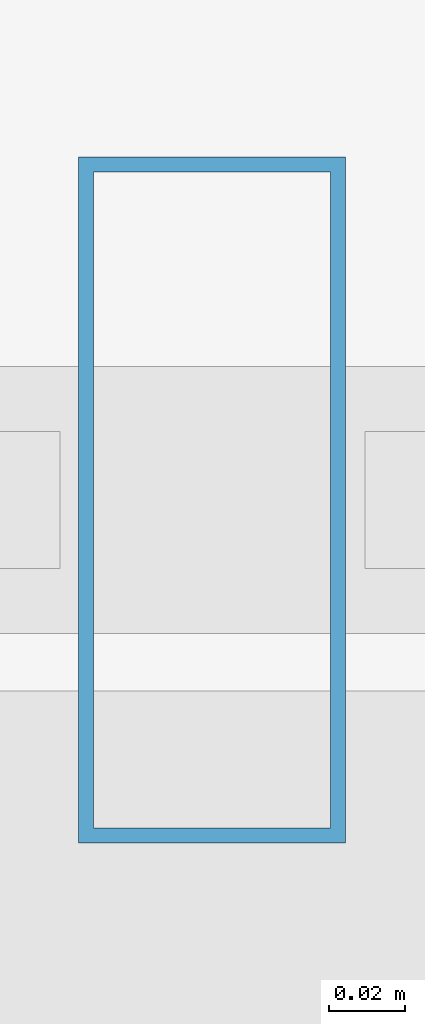
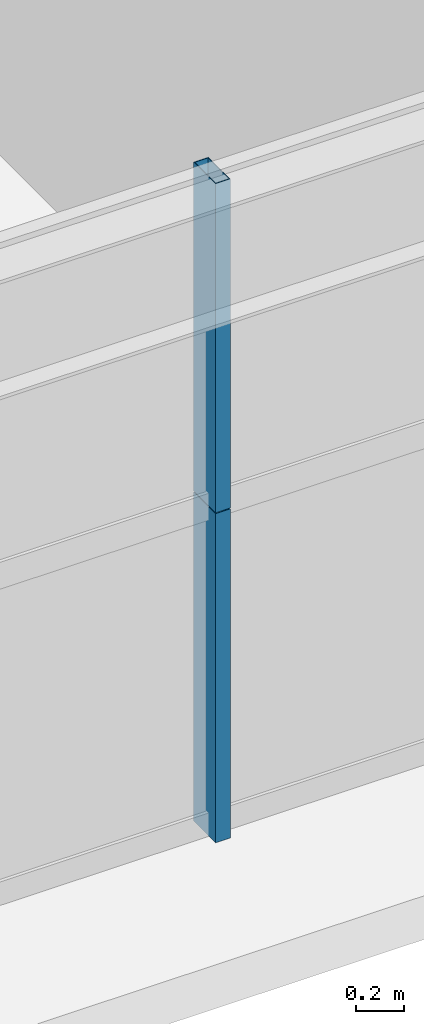
# One storey, part 5 of 43: 2 members, 1 element without a shape of its own.
"""IFC4 building model written with IfcOpenShell, lengths in metres."""

import ifcopenshell
import ifcopenshell.guid

model = None  # the IFC model being written
_history = None  # IfcOwnerHistory: only IFC2X3 demands one
_inside = {}  # id of a spatial element -> (the spatial element, [elements in it])
_under = {}  # id of a project, library or spatial element -> (it, [spatial elements below it])
_declared = {}  # id of a project -> (the project, [libraries it declares])
_typed = {}  # id of a type object -> (the type object, [elements of that type])
_made_of = {}  # id of a material, layer set ... -> (it, [elements and type objects made of it])


def new_model(schema):
    """Start an empty IFC model of exactly this schema.

    Asked for "IFC4X3", IfcOpenShell would pick the latest addendum, in which some entities
    have other attributes; the version numbers below select the first issue.
    IFC2X3 requires an IfcOwnerHistory on every rooted entity: one is made here for all.
    """
    global model, _history
    if schema == "IFC4X3":
        model = ifcopenshell.file(schema_version=(4, 3, 0, 0))
    else:
        model = ifcopenshell.file(schema=schema)
    _inside.clear()
    _under.clear()
    _declared.clear()
    _typed.clear()
    _made_of.clear()
    _history = None
    if model.schema == "IFC2X3":
        org = make("IfcOrganization", Name="unknown")
        user = make(
            "IfcPersonAndOrganization",
            ThePerson=make("IfcPerson", FamilyName="unknown"),
            TheOrganization=org,
        )
        app = make(
            "IfcApplication",
            ApplicationDeveloper=org,
            Version="unknown",
            ApplicationFullName="unknown",
            ApplicationIdentifier="unknown",
        )
        _history = make(
            "IfcOwnerHistory",
            OwningUser=user,
            OwningApplication=app,
            ChangeAction="ADDED",
            CreationDate=0,
        )
    return model


def make(cls, **values):
    """One entity of the class cls with the attributes given. An attribute that is None is left unset."""
    return model.create_entity(
        cls, **{name: value for name, value in values.items() if value is not None}
    )


def rooted(cls, **values):
    """An entity with a GlobalId (a new one), such as an element, a storey or a relation."""
    return make(cls, GlobalId=ifcopenshell.guid.new(), OwnerHistory=_history, **values)


def si_unit(unit_type, name, prefix=None):
    """IfcSIUnit, for example si_unit("LENGTHUNIT", "METRE", prefix="MILLI")."""
    return make("IfcSIUnit", UnitType=unit_type, Prefix=prefix, Name=name)


def assignment(units):
    """IfcUnitAssignment: the units of a project."""
    return None if units is None else make("IfcUnitAssignment", Units=units)


def point(xyz):
    """IfcCartesianPoint."""
    return None if xyz is None else make("IfcCartesianPoint", Coordinates=xyz)


def direction(xyz):
    """IfcDirection."""
    return None if xyz is None else make("IfcDirection", DirectionRatios=xyz)


def frame(location, z_axis=None, x_axis=None):
    """IfcAxis2Placement3D, a coordinate frame: its origin and axes. An axis left out is left unset."""
    return make(
        "IfcAxis2Placement3D",
        Location=point(location),
        Axis=direction(z_axis),
        RefDirection=direction(x_axis),
    )


def frame_2d(location, x_axis=None):
    """IfcAxis2Placement2D, a coordinate frame in the plane: its origin and x axis."""
    return make(
        "IfcAxis2Placement2D", Location=point(location), RefDirection=direction(x_axis)
    )


def origin():
    """The frame at (0, 0, 0) with its axes left unset."""
    return frame((0.0, 0.0, 0.0))


def origin_2d():
    """The frame at (0, 0) in the plane with its x axis left unset."""
    return frame_2d((0.0, 0.0))


def place(relative_to, where):
    """IfcLocalPlacement: puts the frame where relative to a parent placement (None: the world)."""
    return make(
        "IfcLocalPlacement", PlacementRelTo=relative_to, RelativePlacement=where
    )


def context(
    kind, dimensions, precision=None, world=None, true_north=None, identifier=None
):
    """IfcGeometricRepresentationContext, for example the 3D "Model" context."""
    return make(
        "IfcGeometricRepresentationContext",
        ContextIdentifier=identifier,
        ContextType=kind,
        CoordinateSpaceDimension=dimensions,
        Precision=precision,
        WorldCoordinateSystem=world,
        TrueNorth=true_north,
    )


def subcontext(parent, identifier, kind, view, scale=None):
    """IfcGeometricRepresentationSubContext, for example "Body" below "Model"."""
    return make(
        "IfcGeometricRepresentationSubContext",
        ContextIdentifier=identifier,
        ContextType=kind,
        ParentContext=parent,
        TargetScale=scale,
        TargetView=view,
    )


def project(units=None, contexts=None):
    """IfcProject with its units and contexts."""
    return rooted(
        "IfcProject",
        Name="project",
        RepresentationContexts=contexts,
        UnitsInContext=assignment(units),
    )


def spatial(cls, under=None, at=None, **own):
    """A site, building, storey or space (cls), placed at a placement, below another one or the project."""
    s = rooted(cls, ObjectPlacement=at, **own)
    if under is not None:
        _under.setdefault(under.id(), (under, []))[1].append(s)
    return s


def profile(cls, at=None, kind="AREA", **sizes):
    """A parametric profile (cls). Its sizes go by their IFC names, for example OverallWidth=200.0."""
    return make(cls, ProfileType=kind, Position=at, **sizes)


def hollow_rectangle(**sizes):
    """IfcRectangleHollowProfileDef."""
    return profile("IfcRectangleHollowProfileDef", **sizes)


def extrude(swept, where, along, depth):
    """IfcExtrudedAreaSolid: the profile swept, set in the frame where, extruded along a direction by depth."""
    return make(
        "IfcExtrudedAreaSolid",
        SweptArea=swept,
        Position=where,
        ExtrudedDirection=direction(along),
        Depth=depth,
    )


def shape(context_of_items, identifier, shape_type, items):
    """IfcShapeRepresentation: the items that make up one representation, for example the "Body"."""
    return make(
        "IfcShapeRepresentation",
        ContextOfItems=context_of_items,
        RepresentationIdentifier=identifier,
        RepresentationType=shape_type,
        Items=items,
    )


def source(mapping_origin, context_of_items, identifier, shape_type, items):
    """IfcRepresentationMap: a shape defined once, which mapped items show again and again."""
    return make(
        "IfcRepresentationMap",
        MappingOrigin=mapping_origin,
        MappedRepresentation=shape(context_of_items, identifier, shape_type, items),
    )


def transform(
    local_origin,
    x_axis=None,
    y_axis=None,
    z_axis=None,
    scale=None,
    scale2=None,
    scale3=None,
    uniform=True,
):
    """IfcCartesianTransformationOperator3D, or its non-uniform kind. x_axis, y_axis, z_axis: its Axis1, 2, 3."""
    if uniform:
        return make(
            "IfcCartesianTransformationOperator3D",
            Axis1=direction(x_axis),
            Axis2=direction(y_axis),
            LocalOrigin=point(local_origin),
            Scale=scale,
            Axis3=direction(z_axis),
        )
    return make(
        "IfcCartesianTransformationOperator3DnonUniform",
        Axis1=direction(x_axis),
        Axis2=direction(y_axis),
        LocalOrigin=point(local_origin),
        Scale=scale,
        Axis3=direction(z_axis),
        Scale2=scale2,
        Scale3=scale3,
    )


def mapped(mapping_source, mapping_target):
    """IfcMappedItem: shows the shape of a source again, moved by a transform."""
    return make(
        "IfcMappedItem", MappingSource=mapping_source, MappingTarget=mapping_target
    )


def material(Name=None, Category=None):
    """IfcMaterial."""
    return make("IfcMaterial", Name=Name, Category=Category)


def layer(
    of_material, thickness, ventilated=None, Name=None, Category=None, Priority=None
):
    """IfcMaterialLayer: one layer of a wall or slab, of a material (None: an air gap)."""
    return make(
        "IfcMaterialLayer",
        Material=of_material,
        LayerThickness=thickness,
        IsVentilated=ventilated,
        Name=Name,
        Category=Category,
        Priority=Priority,
    )


def layer_set(layers, Name=None):
    """IfcMaterialLayerSet."""
    return make("IfcMaterialLayerSet", MaterialLayers=layers, LayerSetName=Name)


def material_profile(
    of_material, cross_section, Name=None, Category=None, Priority=None
):
    """IfcMaterialProfile: a cross section and its material."""
    return make(
        "IfcMaterialProfile",
        Name=Name,
        Material=of_material,
        Profile=cross_section,
        Priority=Priority,
        Category=Category,
    )


def profile_set(profiles, Name=None, composite=None):
    """IfcMaterialProfileSet."""
    return make(
        "IfcMaterialProfileSet",
        Name=Name,
        MaterialProfiles=profiles,
        CompositeProfile=composite,
    )


def made_of(thing, what):
    """Note that an element or type object is made of a material, layer set ...; save() writes the relation."""
    if what is not None:
        _made_of.setdefault(what.id(), (what, []))[1].append(thing)
    return thing


def type_object(cls, material=None, **own):
    """A type object (cls), such as IfcWallType, which elements share."""
    return made_of(rooted(cls, **own), material)


def element(
    cls,
    number,
    at=None,
    inside=None,
    cuts=None,
    type_object=None,
    material=None,
    context=None,
    identifier="Body",
    shape_type=None,
    held_by="IfcProductDefinitionShape",
    body=None,
    shapes=None,
    **own,
):
    """One element of the class cls, such as IfcWall. Its Tag is "e" and its number.

    at: its placement. inside: the storey or other place that contains it. cuts: it is an
    opening in that element (IfcRelVoidsElement). A single representation is given by context,
    identifier, shape_type and body (its items); several are given by shapes. held_by: the class
    of the entity that holds the representations. save() writes the other relations.
    """
    e = rooted(cls, Tag="e%d" % number, ObjectPlacement=at, **own)
    if body is not None:
        shapes = [shape(context, identifier, shape_type, body)]
    if shapes is not None:
        e.Representation = make(held_by, Representations=shapes)
    if inside is not None:
        _inside.setdefault(inside.id(), (inside, []))[1].append(e)
    if cuts is not None:
        rooted(
            "IfcRelVoidsElement", RelatingBuildingElement=cuts, RelatedOpeningElement=e
        )
    if type_object is not None:
        _typed.setdefault(type_object.id(), (type_object, []))[1].append(e)
    return made_of(e, material)


def aggregate(whole, parts):
    """IfcRelAggregates: a whole, such as a stair, and the parts it consists of."""
    return rooted("IfcRelAggregates", RelatingObject=whole, RelatedObjects=parts)


def save(model, path):
    """Write the relations noted so far, then the file.

    IfcRelAggregates (storeys below a building ...), IfcRelContainedInSpatialStructure (elements
    in a storey), IfcRelDefinesByType, IfcRelAssociatesMaterial and IfcRelDeclares: one each for
    every whole, place, type object, material and project.
    """
    for whole, parts in _under.values():
        aggregate(whole, parts)
    for where, things in _inside.values():
        rooted(
            "IfcRelContainedInSpatialStructure",
            RelatedElements=things,
            RelatingStructure=where,
        )
    for kind, things in _typed.values():
        rooted("IfcRelDefinesByType", RelatedObjects=things, RelatingType=kind)
    for what, things in _made_of.values():
        rooted("IfcRelAssociatesMaterial", RelatedObjects=things, RelatingMaterial=what)
    for by, libraries in _declared.values():
        rooted("IfcRelDeclares", RelatingContext=by, RelatedDefinitions=libraries)
    model.write(path)


model = new_model("IFC4")

# Units and contexts
model_context = context("Model", 3, precision=1e-05, world=origin(), true_north=direction((0.0, 1.0)))
body_context = subcontext(model_context, "Body", "Model", "MODEL_VIEW")
ifc_project = project(units=[si_unit("LENGTHUNIT", "METRE"), si_unit("AREAUNIT", "SQUARE_METRE"), si_unit("VOLUMEUNIT", "CUBIC_METRE"), si_unit("PLANEANGLEUNIT", "RADIAN"), si_unit("MASSUNIT", "GRAM", prefix="KILO"), si_unit("THERMODYNAMICTEMPERATUREUNIT", "KELVIN"), si_unit("POWERUNIT", "WATT")], contexts=[model_context])

# Site, building, storey
site_placement = place(None, origin())
site = spatial("IfcSite", under=ifc_project, at=site_placement, CompositionType="ELEMENT")
building_placement = place(site_placement, origin())
building = spatial("IfcBuilding", under=site, at=building_placement, Name="Yuzanri Waterfront Tower", CompositionType="ELEMENT")
storey_placement = place(building_placement, frame((0.0, 0.0, 37.800048828125)))
storey = spatial("IfcBuildingStorey", under=building, at=storey_placement, Name="L09", CompositionType="ELEMENT", Elevation=37.800048828125)

# Curtain wall, members
ifc_material_1 = material(Name="Anodized Architectural Bronze", Category="metal")
ifc_layer = layer(ifc_material_1, 0.159912109375)
ifc_layer_set = layer_set([ifc_layer], Name="Anodized Architectural Bronze")
curtain_wall_type = type_object("IfcCurtainWallType", Name="Anodized Bronze Hotel Lower-Tier Recessed Unitized Curtain Wall 8100", PredefinedType="NOTDEFINED", material=ifc_layer_set)
curtain_wall_placement = place(storey_placement, origin())
curtain_wall = element("IfcCurtainWall", 1, at=curtain_wall_placement, inside=storey, type_object=curtain_wall_type, Name="L09 Curtain Wall CW-L09-SL", PredefinedType="NOTDEFINED")
ifc_material_2 = material(Name="Anodized Architectural Bronze", Category="metal")
ifc_material_profile = material_profile(ifc_material_2, hollow_rectangle(XDim=0.070068359375, YDim=0.179931640625, WallThickness=0.00390625, at=origin_2d()), Name="CWM 70x180")
ifc_profile_set = profile_set([ifc_material_profile], Name="Anodized Architectural Bronze")
member_type = type_object("IfcMemberType", Name="Anodized Bronze Standard Curtain-Wall Mullion 70x180", PredefinedType="MULLION", material=ifc_profile_set)
shared_shape_1 = source(origin(), body_context, "Body", "SweptSolid", [
    extrude(hollow_rectangle(XDim=0.070068359375, YDim=0.179931640625, WallThickness=0.00390625, at=origin_2d()), origin(), (0.0, 0.0, 1.0), 1.657958984375),
])
member_1_placement = place(storey_placement, frame((27.89990234375, 0.85009765625, 0.0), z_axis=(0.0, 0.0, 1.0), x_axis=(1.0, 0.0, 0.0)))
member_1 = element("IfcMember", 2, at=member_1_placement, type_object=member_type, Name="CW-L09-SL Lower Mullion 01", PredefinedType="MULLION", context=body_context, shape_type="MappedRepresentation", body=[
    mapped(shared_shape_1, transform((0.0, 0.0, 0.0), scale=1.0)),
])
shared_shape_2 = source(origin(), body_context, "Body", "SweptSolid", [
    extrude(hollow_rectangle(XDim=0.070068359375, YDim=0.179931640625, WallThickness=0.00390625, at=origin_2d()), origin(), (0.0, 0.0, 1.0), 1.658203125),
])
member_2_placement = place(storey_placement, frame((27.89990234375, 0.85009765625, 1.661865234375), z_axis=(0.0, 0.0, 1.0), x_axis=(1.0, 0.0, 0.0)))
member_2 = element("IfcMember", 3, at=member_2_placement, type_object=member_type, Name="CW-L09-SL Upper Mullion 01", PredefinedType="MULLION", context=body_context, shape_type="MappedRepresentation", body=[
    mapped(shared_shape_2, transform((0.0, 0.0, 0.0), scale=1.0)),
])
aggregate(curtain_wall, [member_1, member_2])

save(model, "model.ifc")
